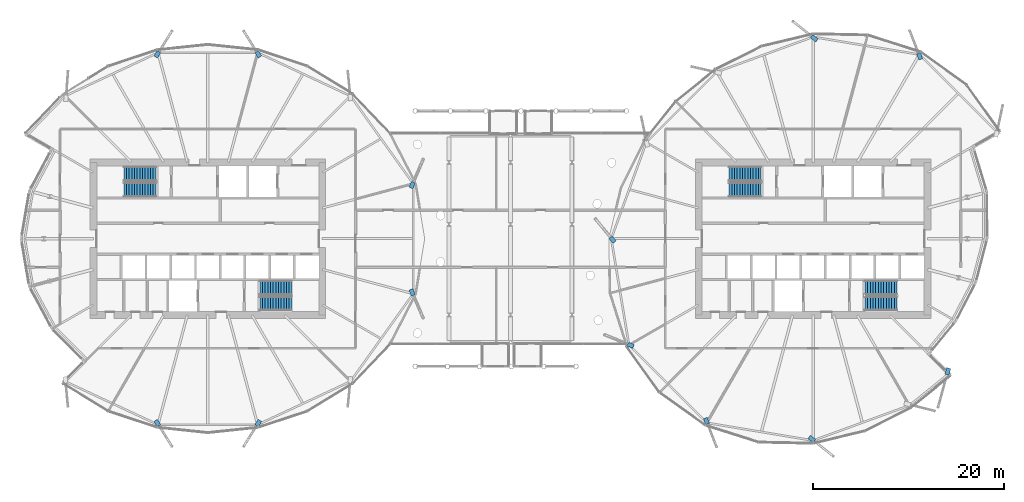
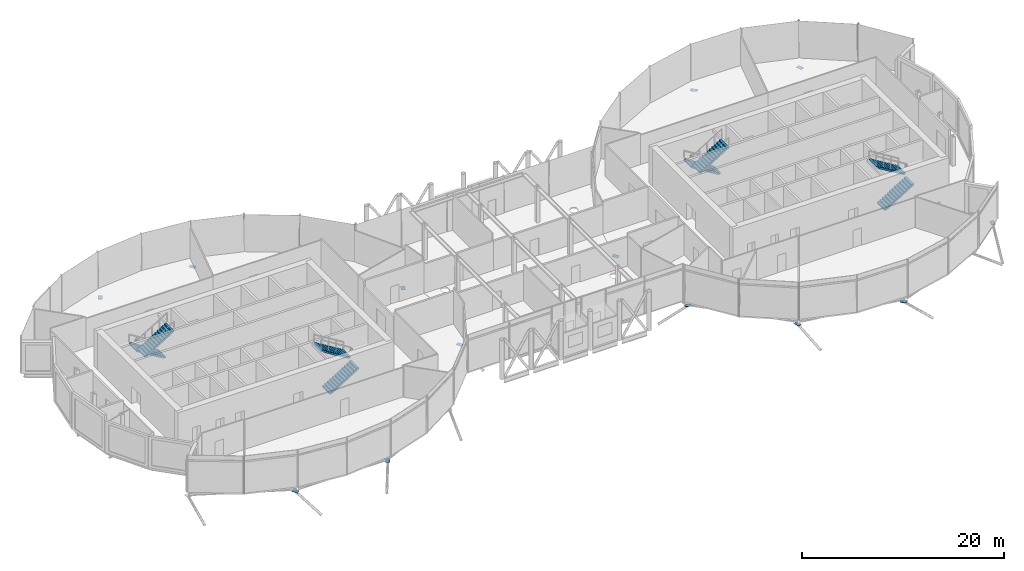
# One storey, part 28 of 36: 13 discrete accessories, 8 stair flights, 4 elements without a shape of their own.
"""IFC4 building model written with IfcOpenShell, lengths in metres."""

from ifc_helpers import new_model, si_unit, direction, frame, origin, origin_2d, place, context, subcontext, project, spatial, polyline, rectangle, outline, extrude, material, material_profile, profile_set, type_object, element, aggregate, save


model = new_model("IFC4")

# Units and contexts
model_context = context("Model", 3, precision=1e-05, world=origin(), true_north=direction((0.0, 1.0)))
body_context = subcontext(model_context, "Body", "Model", "MODEL_VIEW")
ifc_project = project(units=[si_unit("LENGTHUNIT", "METRE"), si_unit("AREAUNIT", "SQUARE_METRE"), si_unit("VOLUMEUNIT", "CUBIC_METRE"), si_unit("PLANEANGLEUNIT", "RADIAN"), si_unit("MASSUNIT", "GRAM", prefix="KILO")], contexts=[model_context])

# Site, building, storey
site_placement = place(None, origin())
site = spatial("IfcSite", under=ifc_project, at=site_placement, CompositionType="ELEMENT")
building_placement = place(site_placement, origin())
building = spatial("IfcBuilding", under=site, at=building_placement, Name="Rimbun Link Towers", CompositionType="ELEMENT")
storey_placement = place(building_placement, frame((0.0, 0.0, 154.39990234375)))
storey = spatial("IfcBuildingStorey", under=building, at=storey_placement, Name="L37", CompositionType="ELEMENT", Elevation=154.39990234375)

# Stair, stair flights
ifc_material_1 = material(Name="Concrete C40/50", Category="concrete")
stair_type = type_object("IfcStairType", Name="Exit stair 4500 rise", PredefinedType="HALF_TURN_STAIR", material=ifc_material_1)
stair_1_placement = place(storey_placement, origin())
stair_1 = element("IfcStair", 1, at=stair_1_placement, inside=storey, type_object=stair_type, Name="L37 EXIT STAIR A", PredefinedType="HALF_TURN_STAIR")
ifc_material_2 = material(Name="Concrete C40/50", Category="concrete")
stair_flight_type = type_object("IfcStairFlightType", Name="Exit stair flight 4500 rise", PredefinedType="STRAIGHT", material=ifc_material_2)
stair_flight_1_placement = place(storey_placement, frame((-37.199951171875, 6.800048828125, 0.0), z_axis=(0.0, 0.0, 1.0), x_axis=(-1.0, 0.0, 0.0)))
stair_flight_1 = element("IfcStairFlight", 2, at=stair_flight_1_placement, type_object=stair_flight_type, Name="ST1 flight 1", NumberOfRisers=13, NumberOfTreads=12, PredefinedType="STRAIGHT", RiserHeight=0.173076923, TreadLength=0.28, context=body_context, shape_type="SweptSolid", body=[
    extrude(outline(polyline([(0.0, 0.0), (0.0, 0.173095703125), (0.280029296875, 0.173095703125), (0.280029296875, 0.34619140625), (0.56005859375, 0.34619140625), (0.56005859375, 0.519287109375), (0.840087890625, 0.519287109375), (0.840087890625, 0.6923828125), (1.1201171875, 0.6923828125), (1.1201171875, 0.865478515625), (1.39990234375, 0.865478515625), (1.39990234375, 1.03857421875), (1.679931640625, 1.03857421875), (1.679931640625, 1.21142578125), (1.9599609375, 1.21142578125), (1.9599609375, 1.384521484375), (2.239990234375, 1.384521484375), (2.239990234375, 1.5576171875), (2.52001953125, 1.5576171875), (2.52001953125, 1.730712890625), (2.800048828125, 1.730712890625), (2.800048828125, 1.90380859375), (3.080078125, 1.90380859375), (3.080078125, 2.076904296875), (3.360107421875, 2.076904296875), (3.360107421875, 2.25), (3.360107421875, 1.900634765625), (0.280029296875, 0.0), (0.0, 0.0)])), frame((0.0, 0.75, 0.0), z_axis=(0.0, -1.0, 0.0), x_axis=(1.0, 0.0, 0.0)), (0.0, 0.0, 1.0), 1.5),
])
stair_flight_2_placement = place(storey_placement, frame((-40.56005859375, 5.14990234375, 2.25), z_axis=(0.0, 0.0, 1.0), x_axis=(1.0, 0.0, 0.0)))
stair_flight_2 = element("IfcStairFlight", 3, at=stair_flight_2_placement, type_object=stair_flight_type, Name="ST1 flight 2", NumberOfRisers=13, NumberOfTreads=12, PredefinedType="STRAIGHT", RiserHeight=0.173076923, TreadLength=0.28, context=body_context, shape_type="SweptSolid", body=[
    extrude(outline(polyline([(0.0, 0.0), (0.0, 0.173095703125), (0.280029296875, 0.173095703125), (0.280029296875, 0.34619140625), (0.56005859375, 0.34619140625), (0.56005859375, 0.519287109375), (0.840087890625, 0.519287109375), (0.840087890625, 0.6923828125), (1.1201171875, 0.6923828125), (1.1201171875, 0.865478515625), (1.39990234375, 0.865478515625), (1.39990234375, 1.03857421875), (1.679931640625, 1.03857421875), (1.679931640625, 1.21142578125), (1.9599609375, 1.21142578125), (1.9599609375, 1.384521484375), (2.239990234375, 1.384521484375), (2.239990234375, 1.5576171875), (2.52001953125, 1.5576171875), (2.52001953125, 1.730712890625), (2.800048828125, 1.730712890625), (2.800048828125, 1.90380859375), (3.080078125, 1.90380859375), (3.080078125, 2.076904296875), (3.360107421875, 2.076904296875), (3.360107421875, 2.25), (3.360107421875, 1.900634765625), (0.280029296875, 0.0), (0.0, 0.0)])), frame((0.0, 0.75, 0.0), z_axis=(0.0, -1.0, 0.0), x_axis=(1.0, 0.0, 0.0)), (0.0, 0.0, 1.0), 1.5),
])
aggregate(stair_1, [stair_flight_1, stair_flight_2])

stair_2_placement = place(storey_placement, origin())
stair_2 = element("IfcStair", 4, at=stair_2_placement, inside=storey, type_object=stair_type, Name="L37 EXIT STAIR B", PredefinedType="HALF_TURN_STAIR")
stair_flight_3_placement = place(storey_placement, frame((-26.300048828125, -6.800048828125, 0.0), z_axis=(0.0, 0.0, 1.0), x_axis=(1.0, 0.0, 0.0)))
stair_flight_3 = element("IfcStairFlight", 5, at=stair_flight_3_placement, type_object=stair_flight_type, Name="ST2 flight 1", NumberOfRisers=13, NumberOfTreads=12, PredefinedType="STRAIGHT", RiserHeight=0.173076923, TreadLength=0.28, context=body_context, shape_type="SweptSolid", body=[
    extrude(outline(polyline([(0.0, 0.0), (0.0, 0.173095703125), (0.280029296875, 0.173095703125), (0.280029296875, 0.34619140625), (0.56005859375, 0.34619140625), (0.56005859375, 0.519287109375), (0.840087890625, 0.519287109375), (0.840087890625, 0.6923828125), (1.1201171875, 0.6923828125), (1.1201171875, 0.865478515625), (1.39990234375, 0.865478515625), (1.39990234375, 1.03857421875), (1.679931640625, 1.03857421875), (1.679931640625, 1.21142578125), (1.9599609375, 1.21142578125), (1.9599609375, 1.384521484375), (2.239990234375, 1.384521484375), (2.239990234375, 1.5576171875), (2.52001953125, 1.5576171875), (2.52001953125, 1.730712890625), (2.800048828125, 1.730712890625), (2.800048828125, 1.90380859375), (3.080078125, 1.90380859375), (3.080078125, 2.076904296875), (3.360107421875, 2.076904296875), (3.360107421875, 2.25), (3.360107421875, 1.900634765625), (0.280029296875, 0.0), (0.0, 0.0)])), frame((0.0, 0.75, 0.0), z_axis=(0.0, -1.0, 0.0), x_axis=(1.0, 0.0, 0.0)), (0.0, 0.0, 1.0), 1.5),
])
stair_flight_4_placement = place(storey_placement, frame((-22.93994140625, -5.14990234375, 2.25), z_axis=(0.0, 0.0, 1.0), x_axis=(-1.0, 0.0, 0.0)))
stair_flight_4 = element("IfcStairFlight", 6, at=stair_flight_4_placement, type_object=stair_flight_type, Name="ST2 flight 2", NumberOfRisers=13, NumberOfTreads=12, PredefinedType="STRAIGHT", RiserHeight=0.173076923, TreadLength=0.28, context=body_context, shape_type="SweptSolid", body=[
    extrude(outline(polyline([(0.0, 0.0), (0.0, 0.173095703125), (0.280029296875, 0.173095703125), (0.280029296875, 0.34619140625), (0.56005859375, 0.34619140625), (0.56005859375, 0.519287109375), (0.840087890625, 0.519287109375), (0.840087890625, 0.6923828125), (1.1201171875, 0.6923828125), (1.1201171875, 0.865478515625), (1.39990234375, 0.865478515625), (1.39990234375, 1.03857421875), (1.679931640625, 1.03857421875), (1.679931640625, 1.21142578125), (1.9599609375, 1.21142578125), (1.9599609375, 1.384521484375), (2.239990234375, 1.384521484375), (2.239990234375, 1.5576171875), (2.52001953125, 1.5576171875), (2.52001953125, 1.730712890625), (2.800048828125, 1.730712890625), (2.800048828125, 1.90380859375), (3.080078125, 1.90380859375), (3.080078125, 2.076904296875), (3.360107421875, 2.076904296875), (3.360107421875, 2.25), (3.360107421875, 1.900634765625), (0.280029296875, 0.0), (0.0, 0.0)])), frame((0.0, 0.75, 0.0), z_axis=(0.0, -1.0, 0.0), x_axis=(1.0, 0.0, 0.0)), (0.0, 0.0, 1.0), 1.5),
])
aggregate(stair_2, [stair_flight_3, stair_flight_4])

stair_3_placement = place(storey_placement, origin())
stair_3 = element("IfcStair", 7, at=stair_3_placement, inside=storey, type_object=stair_type, Name="L37 EXIT STAIR A", PredefinedType="HALF_TURN_STAIR")
stair_flight_5_placement = place(storey_placement, frame((26.300048828125, 6.800048828125, 0.0), z_axis=(0.0, 0.0, 1.0), x_axis=(-1.0, 0.0, 0.0)))
stair_flight_5 = element("IfcStairFlight", 8, at=stair_flight_5_placement, type_object=stair_flight_type, Name="ST3 flight 1", NumberOfRisers=13, NumberOfTreads=12, PredefinedType="STRAIGHT", RiserHeight=0.173076923, TreadLength=0.28, context=body_context, shape_type="SweptSolid", body=[
    extrude(outline(polyline([(0.0, 0.0), (0.0, 0.173095703125), (0.280029296875, 0.173095703125), (0.280029296875, 0.34619140625), (0.56005859375, 0.34619140625), (0.56005859375, 0.519287109375), (0.840087890625, 0.519287109375), (0.840087890625, 0.6923828125), (1.1201171875, 0.6923828125), (1.1201171875, 0.865478515625), (1.39990234375, 0.865478515625), (1.39990234375, 1.03857421875), (1.679931640625, 1.03857421875), (1.679931640625, 1.21142578125), (1.9599609375, 1.21142578125), (1.9599609375, 1.384521484375), (2.239990234375, 1.384521484375), (2.239990234375, 1.5576171875), (2.52001953125, 1.5576171875), (2.52001953125, 1.730712890625), (2.800048828125, 1.730712890625), (2.800048828125, 1.90380859375), (3.080078125, 1.90380859375), (3.080078125, 2.076904296875), (3.360107421875, 2.076904296875), (3.360107421875, 2.25), (3.360107421875, 1.900634765625), (0.280029296875, 0.0), (0.0, 0.0)])), frame((0.0, 0.75, 0.0), z_axis=(0.0, -1.0, 0.0), x_axis=(1.0, 0.0, 0.0)), (0.0, 0.0, 1.0), 1.5),
])
stair_flight_6_placement = place(storey_placement, frame((22.93994140625, 5.14990234375, 2.25), z_axis=(0.0, 0.0, 1.0), x_axis=(1.0, 0.0, 0.0)))
stair_flight_6 = element("IfcStairFlight", 9, at=stair_flight_6_placement, type_object=stair_flight_type, Name="ST3 flight 2", NumberOfRisers=13, NumberOfTreads=12, PredefinedType="STRAIGHT", RiserHeight=0.173076923, TreadLength=0.28, context=body_context, shape_type="SweptSolid", body=[
    extrude(outline(polyline([(0.0, 0.0), (0.0, 0.173095703125), (0.280029296875, 0.173095703125), (0.280029296875, 0.34619140625), (0.56005859375, 0.34619140625), (0.56005859375, 0.519287109375), (0.840087890625, 0.519287109375), (0.840087890625, 0.6923828125), (1.1201171875, 0.6923828125), (1.1201171875, 0.865478515625), (1.39990234375, 0.865478515625), (1.39990234375, 1.03857421875), (1.679931640625, 1.03857421875), (1.679931640625, 1.21142578125), (1.9599609375, 1.21142578125), (1.9599609375, 1.384521484375), (2.239990234375, 1.384521484375), (2.239990234375, 1.5576171875), (2.52001953125, 1.5576171875), (2.52001953125, 1.730712890625), (2.800048828125, 1.730712890625), (2.800048828125, 1.90380859375), (3.080078125, 1.90380859375), (3.080078125, 2.076904296875), (3.360107421875, 2.076904296875), (3.360107421875, 2.25), (3.360107421875, 1.900634765625), (0.280029296875, 0.0), (0.0, 0.0)])), frame((0.0, 0.75, 0.0), z_axis=(0.0, -1.0, 0.0), x_axis=(1.0, 0.0, 0.0)), (0.0, 0.0, 1.0), 1.5),
])
aggregate(stair_3, [stair_flight_5, stair_flight_6])

stair_4_placement = place(storey_placement, origin())
stair_4 = element("IfcStair", 10, at=stair_4_placement, inside=storey, type_object=stair_type, Name="L37 EXIT STAIR B", PredefinedType="HALF_TURN_STAIR")
stair_flight_7_placement = place(storey_placement, frame((37.199951171875, -6.800048828125, 0.0), z_axis=(0.0, 0.0, 1.0), x_axis=(1.0, 0.0, 0.0)))
stair_flight_7 = element("IfcStairFlight", 11, at=stair_flight_7_placement, type_object=stair_flight_type, Name="ST4 flight 1", NumberOfRisers=13, NumberOfTreads=12, PredefinedType="STRAIGHT", RiserHeight=0.173076923, TreadLength=0.28, context=body_context, shape_type="SweptSolid", body=[
    extrude(outline(polyline([(0.0, 0.0), (0.0, 0.173095703125), (0.280029296875, 0.173095703125), (0.280029296875, 0.34619140625), (0.56005859375, 0.34619140625), (0.56005859375, 0.519287109375), (0.840087890625, 0.519287109375), (0.840087890625, 0.6923828125), (1.1201171875, 0.6923828125), (1.1201171875, 0.865478515625), (1.39990234375, 0.865478515625), (1.39990234375, 1.03857421875), (1.679931640625, 1.03857421875), (1.679931640625, 1.21142578125), (1.9599609375, 1.21142578125), (1.9599609375, 1.384521484375), (2.239990234375, 1.384521484375), (2.239990234375, 1.5576171875), (2.52001953125, 1.5576171875), (2.52001953125, 1.730712890625), (2.800048828125, 1.730712890625), (2.800048828125, 1.90380859375), (3.080078125, 1.90380859375), (3.080078125, 2.076904296875), (3.360107421875, 2.076904296875), (3.360107421875, 2.25), (3.360107421875, 1.900634765625), (0.280029296875, 0.0), (0.0, 0.0)])), frame((0.0, 0.75, 0.0), z_axis=(0.0, -1.0, 0.0), x_axis=(1.0, 0.0, 0.0)), (0.0, 0.0, 1.0), 1.5),
])
stair_flight_8_placement = place(storey_placement, frame((40.56005859375, -5.14990234375, 2.25), z_axis=(0.0, 0.0, 1.0), x_axis=(-1.0, 0.0, 0.0)))
stair_flight_8 = element("IfcStairFlight", 12, at=stair_flight_8_placement, type_object=stair_flight_type, Name="ST4 flight 2", NumberOfRisers=13, NumberOfTreads=12, PredefinedType="STRAIGHT", RiserHeight=0.173076923, TreadLength=0.28, context=body_context, shape_type="SweptSolid", body=[
    extrude(outline(polyline([(0.0, 0.0), (0.0, 0.173095703125), (0.280029296875, 0.173095703125), (0.280029296875, 0.34619140625), (0.56005859375, 0.34619140625), (0.56005859375, 0.519287109375), (0.840087890625, 0.519287109375), (0.840087890625, 0.6923828125), (1.1201171875, 0.6923828125), (1.1201171875, 0.865478515625), (1.39990234375, 0.865478515625), (1.39990234375, 1.03857421875), (1.679931640625, 1.03857421875), (1.679931640625, 1.21142578125), (1.9599609375, 1.21142578125), (1.9599609375, 1.384521484375), (2.239990234375, 1.384521484375), (2.239990234375, 1.5576171875), (2.52001953125, 1.5576171875), (2.52001953125, 1.730712890625), (2.800048828125, 1.730712890625), (2.800048828125, 1.90380859375), (3.080078125, 1.90380859375), (3.080078125, 2.076904296875), (3.360107421875, 2.076904296875), (3.360107421875, 2.25), (3.360107421875, 1.900634765625), (0.280029296875, 0.0), (0.0, 0.0)])), frame((0.0, 0.75, 0.0), z_axis=(0.0, -1.0, 0.0), x_axis=(1.0, 0.0, 0.0)), (0.0, 0.0, 1.0), 1.5),
])
aggregate(stair_4, [stair_flight_7, stair_flight_8])

# Discrete accessories
ifc_material_3 = material(Name="Steel S355J2H", Category="steel")
ifc_material_profile = material_profile(ifc_material_3, rectangle(XDim=0.43310546875, YDim=0.43310546875, at=origin_2d()), Name="PL 433x433")
ifc_profile_set = profile_set([ifc_material_profile], Name="Steel S355J2H")
discrete_accessory_type = type_object("IfcDiscreteAccessoryType", Name="Link head end plate 433X20", PredefinedType="BRACKET", material=ifc_profile_set)
discrete_accessory_1_placement = place(storey_placement, frame((0.0, 0.0, -0.73291015625)))
element("IfcDiscreteAccessory", 13, at=discrete_accessory_1_placement, inside=storey, type_object=discrete_accessory_type, Name="Link head end plate T1 L37 01", PredefinedType="BRACKET", context=body_context, shape_type="SweptSolid", body=[
    extrude(outline(polyline([(-10.240234375, 5.23779296875), (-9.98046875, 5.84521484375), (-10.378662109375, 6.015625), (-10.638427734375, 5.408203125), (-10.240234375, 5.23779296875)])), origin(), (0.0, 0.0, 1.0), 0.02001953125),
])
discrete_accessory_2_placement = place(storey_placement, frame((0.0, 0.0, -0.802490234375)))
element("IfcDiscreteAccessory", 14, at=discrete_accessory_2_placement, inside=storey, type_object=discrete_accessory_type, Name="Link head end plate T1 L37 05", PredefinedType="BRACKET", context=body_context, shape_type="SweptSolid", body=[
    extrude(outline(polyline([(-26.096923828125, 19.1748046875), (-26.448974609375, 19.73681640625), (-26.81591796875, 19.507080078125), (-26.4638671875, 18.945068359375), (-26.096923828125, 19.1748046875)])), origin(), (0.0, 0.0, 1.0), 0.02001953125),
])
discrete_accessory_3_placement = place(storey_placement, frame((0.0, 0.0, -0.802490234375)))
element("IfcDiscreteAccessory", 15, at=discrete_accessory_3_placement, inside=storey, type_object=discrete_accessory_type, Name="Link head end plate T1 L37 07", PredefinedType="BRACKET", context=body_context, shape_type="SweptSolid", body=[
    extrude(outline(polyline([(-37.0361328125, 18.945068359375), (-36.68408203125, 19.507080078125), (-37.051025390625, 19.73681640625), (-37.403076171875, 19.1748046875), (-37.0361328125, 18.945068359375)])), origin(), (0.0, 0.0, 1.0), 0.02001953125),
])
discrete_accessory_4_placement = place(storey_placement, frame((0.0, 0.0, -0.802490234375)))
element("IfcDiscreteAccessory", 16, at=discrete_accessory_4_placement, inside=storey, type_object=discrete_accessory_type, Name="Link head end plate T1 L37 17", PredefinedType="BRACKET", context=body_context, shape_type="SweptSolid", body=[
    extrude(outline(polyline([(-37.403076171875, -19.1748046875), (-37.051025390625, -19.73681640625), (-36.68408203125, -19.507080078125), (-37.0361328125, -18.945068359375), (-37.403076171875, -19.1748046875)])), origin(), (0.0, 0.0, 1.0), 0.02001953125),
])
discrete_accessory_5_placement = place(storey_placement, frame((0.0, 0.0, -0.802490234375)))
element("IfcDiscreteAccessory", 17, at=discrete_accessory_5_placement, inside=storey, type_object=discrete_accessory_type, Name="Link head end plate T1 L37 19", PredefinedType="BRACKET", context=body_context, shape_type="SweptSolid", body=[
    extrude(outline(polyline([(-26.4638671875, -18.945068359375), (-26.81591796875, -19.507080078125), (-26.448974609375, -19.73681640625), (-26.096923828125, -19.1748046875), (-26.4638671875, -18.945068359375)])), origin(), (0.0, 0.0, 1.0), 0.02001953125),
])
discrete_accessory_6_placement = place(storey_placement, frame((0.0, 0.0, -0.73291015625)))
element("IfcDiscreteAccessory", 18, at=discrete_accessory_6_placement, inside=storey, type_object=discrete_accessory_type, Name="Link head end plate T1 L37 23", PredefinedType="BRACKET", context=body_context, shape_type="SweptSolid", body=[
    extrude(outline(polyline([(-10.638427734375, -5.408203125), (-10.378662109375, -6.015625), (-9.98046875, -5.84521484375), (-10.240234375, -5.23779296875), (-10.638427734375, -5.408203125)])), origin(), (0.0, 0.0, 1.0), 0.02001953125),
])
discrete_accessory_7_placement = place(storey_placement, frame((0.0, 0.0, -0.88330078125)))
element("IfcDiscreteAccessory", 19, at=discrete_accessory_7_placement, inside=storey, type_object=discrete_accessory_type, Name="Link head end plate T2 L37 01", PredefinedType="BRACKET", context=body_context, shape_type="SweptSolid", body=[
    extrude(outline(polyline([(43.256591796875, 18.898681640625), (43.012939453125, 19.52490234375), (42.609375, 19.367919921875), (42.852783203125, 18.74169921875), (43.256591796875, 18.898681640625)])), origin(), (0.0, 0.0, 1.0), 0.02001953125),
])
discrete_accessory_8_placement = place(storey_placement, frame((0.0, 0.0, -0.88330078125)))
element("IfcDiscreteAccessory", 20, at=discrete_accessory_8_placement, inside=storey, type_object=discrete_accessory_type, Name="Link head end plate T2 L37 03", PredefinedType="BRACKET", context=body_context, shape_type="SweptSolid", body=[
    extrude(outline(polyline([(32.297119140625, 20.965576171875), (31.74169921875, 21.4072265625), (31.47216796875, 21.068359375), (32.027587890625, 20.626708984375), (32.297119140625, 20.965576171875)])), origin(), (0.0, 0.0, 1.0), 0.02001953125),
])
discrete_accessory_9_placement = place(storey_placement, frame((0.0, 0.0, -0.73291015625)))
element("IfcDiscreteAccessory", 21, at=discrete_accessory_9_placement, inside=storey, type_object=discrete_accessory_type, Name="Link head end plate T2 L37 09", PredefinedType="BRACKET", context=body_context, shape_type="SweptSolid", body=[
    extrude(outline(polyline([(11.08740234375, -0.22021484375), (10.6748046875, 0.281005859375), (10.340576171875, 0.005859375), (10.753173828125, -0.495361328125), (11.08740234375, -0.22021484375)])), origin(), (0.0, 0.0, 1.0), 0.02001953125),
])
discrete_accessory_10_placement = place(storey_placement, frame((0.0, 0.0, -0.6533203125)))
element("IfcDiscreteAccessory", 22, at=discrete_accessory_10_placement, inside=storey, type_object=discrete_accessory_type, Name="Link head end plate T2 L37 11", PredefinedType="BRACKET", context=body_context, shape_type="SweptSolid", body=[
    extrude(outline(polyline([(12.992431640625, -11.104736328125), (12.385498046875, -10.857666015625), (12.222412109375, -11.258544921875), (12.8291015625, -11.505615234375), (12.992431640625, -11.104736328125)])), origin(), (0.0, 0.0, 1.0), 0.02001953125),
])
discrete_accessory_11_placement = place(storey_placement, frame((0.0, 0.0, -0.88330078125)))
element("IfcDiscreteAccessory", 23, at=discrete_accessory_11_placement, inside=storey, type_object=discrete_accessory_type, Name="Link head end plate T2 L37 13", PredefinedType="BRACKET", context=body_context, shape_type="SweptSolid", body=[
    extrude(outline(polyline([(20.243408203125, -18.898681640625), (20.487060546875, -19.52490234375), (20.890625, -19.367919921875), (20.647216796875, -18.74169921875), (20.243408203125, -18.898681640625)])), origin(), (0.0, 0.0, 1.0), 0.02001953125),
])
discrete_accessory_12_placement = place(storey_placement, frame((0.0, 0.0, -0.88330078125)))
element("IfcDiscreteAccessory", 24, at=discrete_accessory_12_placement, inside=storey, type_object=discrete_accessory_type, Name="Link head end plate T2 L37 15", PredefinedType="BRACKET", context=body_context, shape_type="SweptSolid", body=[
    extrude(outline(polyline([(31.202880859375, -20.965576171875), (31.75830078125, -21.4072265625), (32.02783203125, -21.068359375), (31.472412109375, -20.626708984375), (31.202880859375, -20.965576171875)])), origin(), (0.0, 0.0, 1.0), 0.02001953125),
])
discrete_accessory_13_placement = place(storey_placement, frame((0.0, 0.0, -0.6533203125)))
element("IfcDiscreteAccessory", 25, at=discrete_accessory_13_placement, inside=storey, type_object=discrete_accessory_type, Name="Link head end plate T2 L37 18", PredefinedType="BRACKET", context=body_context, shape_type="SweptSolid", body=[
    extrude(outline(polyline([(45.769287109375, -13.52001953125), (45.58154296875, -14.206298828125), (45.9990234375, -14.320556640625), (46.18701171875, -13.63427734375), (45.769287109375, -13.52001953125)])), origin(), (0.0, 0.0, 1.0), 0.02001953125),
])

save(model, "model.ifc")
